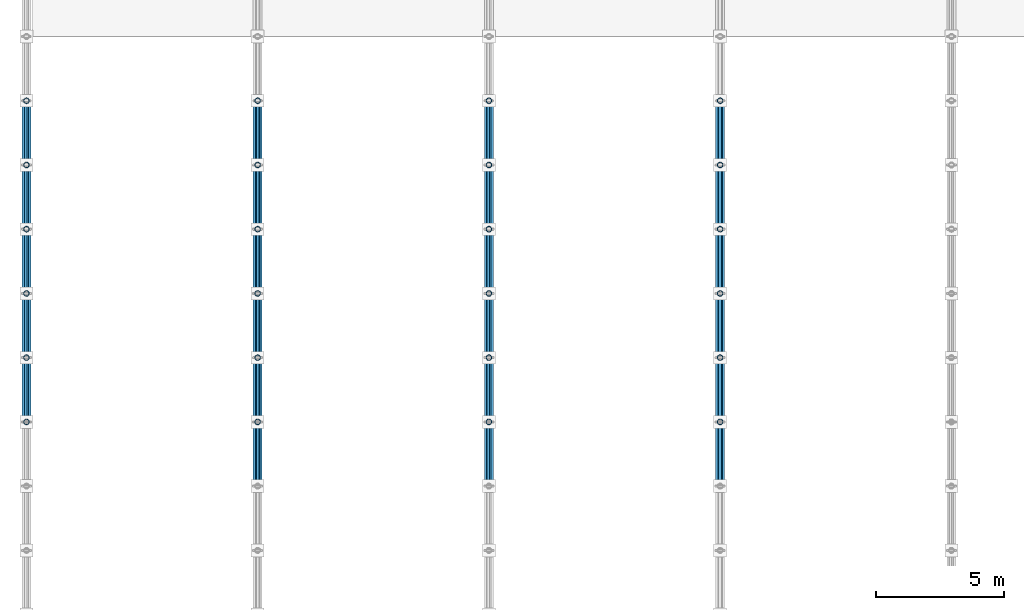
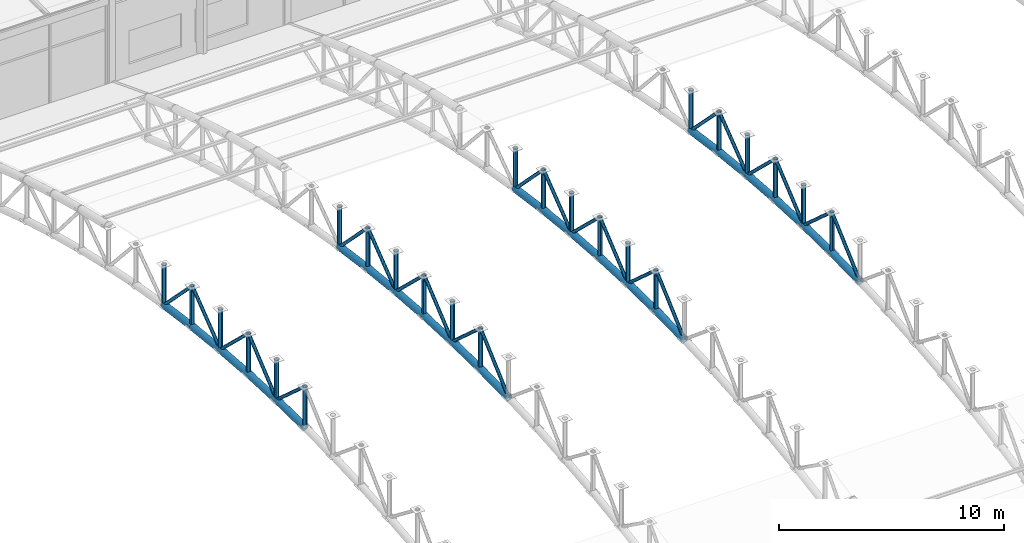
# One storey, part 33 of 195: 70 members.
"""IFC4 building model written with IfcOpenShell, lengths in metres."""

from ifc_helpers import new_model, si_unit, direction, frame, origin, origin_2d, place, context, subcontext, project, spatial, hollow_circle, extrude, material, material_profile, profile_set, type_object, element, save


model = new_model("IFC4")

# Units and contexts
model_context = context("Model", 3, precision=1e-05, world=origin(), true_north=direction((0.0, 1.0)))
body_context = subcontext(model_context, "Body", "Model", "MODEL_VIEW")
ifc_project = project(units=[si_unit("LENGTHUNIT", "METRE"), si_unit("AREAUNIT", "SQUARE_METRE"), si_unit("VOLUMEUNIT", "CUBIC_METRE"), si_unit("PLANEANGLEUNIT", "RADIAN"), si_unit("MASSUNIT", "GRAM", prefix="KILO")], contexts=[model_context])

# Site, building, storey
site_placement = place(None, origin())
site = spatial("IfcSite", under=ifc_project, at=site_placement, CompositionType="ELEMENT")
building_placement = place(site_placement, origin())
building = spatial("IfcBuilding", under=site, at=building_placement, Name="Marlcrest Central Station", CompositionType="ELEMENT")
storey_placement = place(building_placement, frame((0.0, 0.0, 9.800048828125)))
storey = spatial("IfcBuildingStorey", under=building, at=storey_placement, Name="L02", CompositionType="ELEMENT", Elevation=9.800048828125)

# Members
ifc_material = material(Name="Steel S355", Category="steel")
ifc_material_profile_1 = material_profile(ifc_material, hollow_circle(Radius=0.177734375, WallThickness=0.01611328125, at=origin_2d()), Name="CHS 355.6x16")
ifc_profile_set_1 = profile_set([ifc_material_profile_1], Name="Steel S355")
member_type_1 = type_object("IfcMemberType", Name="AC-02", PredefinedType="CHORD", material=ifc_profile_set_1)
member_1_placement = place(storey_placement, frame((0.0, 66.0, 4.800048828125), z_axis=(0.0, 0.999879472592, -0.01552547228), x_axis=(-1.0, 0.0, 0.0)))
element("IfcMember", 1, at=member_1_placement, inside=storey, type_object=member_type_1, Name="mem-AC-02-L02-00112", PredefinedType="CHORD", context=body_context, shape_type="SweptSolid", body=[
    extrude(hollow_circle(Radius=0.177734375, WallThickness=0.01611328125, at=origin_2d()), origin(), (0.0, 0.0, 1.0), 2.500244140625),
])
member_2_placement = place(storey_placement, frame((0.0, 68.5, 4.76123046875), z_axis=(0.0, 0.998916819647, -0.046531574509), x_axis=(-1.0, 0.0, 0.0)))
element("IfcMember", 2, at=member_2_placement, inside=storey, type_object=member_type_1, Name="mem-AC-02-L02-00116", PredefinedType="CHORD", context=body_context, shape_type="SweptSolid", body=[
    extrude(hollow_circle(Radius=0.177734375, WallThickness=0.01611328125, at=origin_2d()), origin(), (0.0, 0.0, 1.0), 2.502685546875),
])
member_3_placement = place(storey_placement, frame((0.0, 71.0, 4.644775390625), z_axis=(0.0, 0.997007334767, -0.077307014043), x_axis=(-1.0, 0.0, 0.0)))
element("IfcMember", 3, at=member_3_placement, inside=storey, type_object=member_type_1, Name="mem-AC-02-L02-00120", PredefinedType="CHORD", context=body_context, shape_type="SweptSolid", body=[
    extrude(hollow_circle(Radius=0.177734375, WallThickness=0.01611328125, at=origin_2d()), origin(), (0.0, 0.0, 1.0), 2.507568359375),
])
member_4_placement = place(storey_placement, frame((0.0, 73.5, 4.450927734375), z_axis=(0.0, 0.994155341034, -0.107959056565), x_axis=(-1.0, 0.0, 0.0)))
element("IfcMember", 4, at=member_4_placement, inside=storey, type_object=member_type_1, Name="mem-AC-02-L02-00124", PredefinedType="CHORD", context=body_context, shape_type="SweptSolid", body=[
    extrude(hollow_circle(Radius=0.177734375, WallThickness=0.01611328125, at=origin_2d()), origin(), (0.0, 0.0, 1.0), 2.5146484375),
])
member_5_placement = place(storey_placement, frame((0.0, 76.0, 4.179443359375), z_axis=(0.0, 0.990402740232, -0.138211476152), x_axis=(-1.0, 0.0, 0.0)))
element("IfcMember", 5, at=member_5_placement, inside=storey, type_object=member_type_1, Name="mem-AC-02-L02-00128", PredefinedType="CHORD", context=body_context, shape_type="SweptSolid", body=[
    extrude(hollow_circle(Radius=0.177734375, WallThickness=0.01611328125, at=origin_2d()), origin(), (0.0, 0.0, 1.0), 2.524169921875),
])
for number, where, z_axis, x_axis, name in (
    (6, (9.0, 63.5, 4.76123046875), (0.0, 0.999879472592, 0.01552547228), (-1.0, 0.0, 0.0), "mem-AC-02-L02-00224"),
    (7, (9.0, 66.0, 4.800048828125), (0.0, 0.999879472592, -0.01552547228), (-1.0, 0.0, 0.0), "mem-AC-02-L02-00228"),
):
    element("IfcMember", number, at=place(storey_placement, frame(where, z_axis=z_axis, x_axis=x_axis)), inside=storey, type_object=member_type_1, Name=name, PredefinedType="CHORD", context=body_context, shape_type="SweptSolid", body=[
        extrude(hollow_circle(Radius=0.177734375, WallThickness=0.01611328125, at=origin_2d()), origin(), (0.0, 0.0, 1.0), 2.500244140625),
    ])
member_6_placement = place(storey_placement, frame((9.0, 68.5, 4.76123046875), z_axis=(0.0, 0.998916819647, -0.046531574509), x_axis=(-1.0, 0.0, 0.0)))
element("IfcMember", 8, at=member_6_placement, inside=storey, type_object=member_type_1, Name="mem-AC-02-L02-00232", PredefinedType="CHORD", context=body_context, shape_type="SweptSolid", body=[
    extrude(hollow_circle(Radius=0.177734375, WallThickness=0.01611328125, at=origin_2d()), origin(), (0.0, 0.0, 1.0), 2.502685546875),
])
member_7_placement = place(storey_placement, frame((9.0, 71.0, 4.644775390625), z_axis=(0.0, 0.997007334767, -0.077307014043), x_axis=(-1.0, 0.0, 0.0)))
element("IfcMember", 9, at=member_7_placement, inside=storey, type_object=member_type_1, Name="mem-AC-02-L02-00236", PredefinedType="CHORD", context=body_context, shape_type="SweptSolid", body=[
    extrude(hollow_circle(Radius=0.177734375, WallThickness=0.01611328125, at=origin_2d()), origin(), (0.0, 0.0, 1.0), 2.507568359375),
])
member_8_placement = place(storey_placement, frame((9.0, 73.5, 4.450927734375), z_axis=(0.0, 0.994155341034, -0.107959056565), x_axis=(-1.0, 0.0, 0.0)))
element("IfcMember", 10, at=member_8_placement, inside=storey, type_object=member_type_1, Name="mem-AC-02-L02-00240", PredefinedType="CHORD", context=body_context, shape_type="SweptSolid", body=[
    extrude(hollow_circle(Radius=0.177734375, WallThickness=0.01611328125, at=origin_2d()), origin(), (0.0, 0.0, 1.0), 2.5146484375),
])
member_9_placement = place(storey_placement, frame((9.0, 76.0, 4.179443359375), z_axis=(0.0, 0.990402740232, -0.138211476152), x_axis=(-1.0, 0.0, 0.0)))
element("IfcMember", 11, at=member_9_placement, inside=storey, type_object=member_type_1, Name="mem-AC-02-L02-00244", PredefinedType="CHORD", context=body_context, shape_type="SweptSolid", body=[
    extrude(hollow_circle(Radius=0.177734375, WallThickness=0.01611328125, at=origin_2d()), origin(), (0.0, 0.0, 1.0), 2.524169921875),
])
for number, where, z_axis, x_axis, name in (
    (12, (18.0, 63.5, 4.76123046875), (0.0, 0.999879472592, 0.01552547228), (-1.0, 0.0, 0.0), "mem-AC-02-L02-00340"),
    (13, (18.0, 66.0, 4.800048828125), (0.0, 0.999879472592, -0.01552547228), (-1.0, 0.0, 0.0), "mem-AC-02-L02-00344"),
):
    element("IfcMember", number, at=place(storey_placement, frame(where, z_axis=z_axis, x_axis=x_axis)), inside=storey, type_object=member_type_1, Name=name, PredefinedType="CHORD", context=body_context, shape_type="SweptSolid", body=[
        extrude(hollow_circle(Radius=0.177734375, WallThickness=0.01611328125, at=origin_2d()), origin(), (0.0, 0.0, 1.0), 2.500244140625),
    ])
member_10_placement = place(storey_placement, frame((18.0, 68.5, 4.76123046875), z_axis=(0.0, 0.998916819647, -0.046531574509), x_axis=(-1.0, 0.0, 0.0)))
element("IfcMember", 14, at=member_10_placement, inside=storey, type_object=member_type_1, Name="mem-AC-02-L02-00348", PredefinedType="CHORD", context=body_context, shape_type="SweptSolid", body=[
    extrude(hollow_circle(Radius=0.177734375, WallThickness=0.01611328125, at=origin_2d()), origin(), (0.0, 0.0, 1.0), 2.502685546875),
])
member_11_placement = place(storey_placement, frame((18.0, 71.0, 4.644775390625), z_axis=(0.0, 0.997007334767, -0.077307014043), x_axis=(-1.0, 0.0, 0.0)))
element("IfcMember", 15, at=member_11_placement, inside=storey, type_object=member_type_1, Name="mem-AC-02-L02-00352", PredefinedType="CHORD", context=body_context, shape_type="SweptSolid", body=[
    extrude(hollow_circle(Radius=0.177734375, WallThickness=0.01611328125, at=origin_2d()), origin(), (0.0, 0.0, 1.0), 2.507568359375),
])
member_12_placement = place(storey_placement, frame((18.0, 73.5, 4.450927734375), z_axis=(0.0, 0.994155341034, -0.107959056565), x_axis=(-1.0, 0.0, 0.0)))
element("IfcMember", 16, at=member_12_placement, inside=storey, type_object=member_type_1, Name="mem-AC-02-L02-00356", PredefinedType="CHORD", context=body_context, shape_type="SweptSolid", body=[
    extrude(hollow_circle(Radius=0.177734375, WallThickness=0.01611328125, at=origin_2d()), origin(), (0.0, 0.0, 1.0), 2.5146484375),
])
member_13_placement = place(storey_placement, frame((18.0, 76.0, 4.179443359375), z_axis=(0.0, 0.990402740232, -0.138211476152), x_axis=(-1.0, 0.0, 0.0)))
element("IfcMember", 17, at=member_13_placement, inside=storey, type_object=member_type_1, Name="mem-AC-02-L02-00360", PredefinedType="CHORD", context=body_context, shape_type="SweptSolid", body=[
    extrude(hollow_circle(Radius=0.177734375, WallThickness=0.01611328125, at=origin_2d()), origin(), (0.0, 0.0, 1.0), 2.524169921875),
])
for number, where, z_axis, x_axis, name in (
    (18, (27.0, 63.5, 4.76123046875), (0.0, 0.999879472592, 0.01552547228), (-1.0, 0.0, 0.0), "mem-AC-02-L02-00456"),
    (19, (27.0, 66.0, 4.800048828125), (0.0, 0.999879472592, -0.01552547228), (-1.0, 0.0, 0.0), "mem-AC-02-L02-00460"),
):
    element("IfcMember", number, at=place(storey_placement, frame(where, z_axis=z_axis, x_axis=x_axis)), inside=storey, type_object=member_type_1, Name=name, PredefinedType="CHORD", context=body_context, shape_type="SweptSolid", body=[
        extrude(hollow_circle(Radius=0.177734375, WallThickness=0.01611328125, at=origin_2d()), origin(), (0.0, 0.0, 1.0), 2.500244140625),
    ])
member_14_placement = place(storey_placement, frame((27.0, 68.5, 4.76123046875), z_axis=(0.0, 0.998916819647, -0.046531574509), x_axis=(-1.0, 0.0, 0.0)))
element("IfcMember", 20, at=member_14_placement, inside=storey, type_object=member_type_1, Name="mem-AC-02-L02-00464", PredefinedType="CHORD", context=body_context, shape_type="SweptSolid", body=[
    extrude(hollow_circle(Radius=0.177734375, WallThickness=0.01611328125, at=origin_2d()), origin(), (0.0, 0.0, 1.0), 2.502685546875),
])
member_15_placement = place(storey_placement, frame((27.0, 71.0, 4.644775390625), z_axis=(0.0, 0.997007334767, -0.077307014043), x_axis=(-1.0, 0.0, 0.0)))
element("IfcMember", 21, at=member_15_placement, inside=storey, type_object=member_type_1, Name="mem-AC-02-L02-00468", PredefinedType="CHORD", context=body_context, shape_type="SweptSolid", body=[
    extrude(hollow_circle(Radius=0.177734375, WallThickness=0.01611328125, at=origin_2d()), origin(), (0.0, 0.0, 1.0), 2.507568359375),
])
member_16_placement = place(storey_placement, frame((27.0, 73.5, 4.450927734375), z_axis=(0.0, 0.994155341034, -0.107959056565), x_axis=(-1.0, 0.0, 0.0)))
element("IfcMember", 22, at=member_16_placement, inside=storey, type_object=member_type_1, Name="mem-AC-02-L02-00472", PredefinedType="CHORD", context=body_context, shape_type="SweptSolid", body=[
    extrude(hollow_circle(Radius=0.177734375, WallThickness=0.01611328125, at=origin_2d()), origin(), (0.0, 0.0, 1.0), 2.5146484375),
])
member_17_placement = place(storey_placement, frame((27.0, 76.0, 4.179443359375), z_axis=(0.0, 0.990402740232, -0.138211476152), x_axis=(-1.0, 0.0, 0.0)))
element("IfcMember", 23, at=member_17_placement, inside=storey, type_object=member_type_1, Name="mem-AC-02-L02-00476", PredefinedType="CHORD", context=body_context, shape_type="SweptSolid", body=[
    extrude(hollow_circle(Radius=0.177734375, WallThickness=0.01611328125, at=origin_2d()), origin(), (0.0, 0.0, 1.0), 2.524169921875),
])
ifc_material_profile_2 = material_profile(ifc_material, hollow_circle(Radius=0.084228515625, WallThickness=0.010009765625, at=origin_2d()), Name="CHS 168.3x10")
ifc_profile_set_2 = profile_set([ifc_material_profile_2], Name="Steel S355")
member_type_2 = type_object("IfcMemberType", Name="AD-01", PredefinedType="BRACE", material=ifc_profile_set_2)
member_18_placement = place(storey_placement, frame((0.0, 66.0, 7.0), z_axis=(0.0, 0.744955843007, -0.66711377738), x_axis=(-1.0, 0.0, 0.0)))
element("IfcMember", 24, at=member_18_placement, inside=storey, type_object=member_type_2, Name="mem-AD-01-L02-00114", PredefinedType="BRACE", context=body_context, shape_type="SweptSolid", body=[
    extrude(hollow_circle(Radius=0.084228515625, WallThickness=0.010009765625, at=origin_2d()), origin(), (0.0, 0.0, 1.0), 3.35595703125),
])
member_19_placement = place(storey_placement, frame((0.0, 68.5, 4.76123046875), z_axis=(0.0, 0.768159787854, 0.640258182552), x_axis=(-1.0, 0.0, 0.0)))
element("IfcMember", 25, at=member_19_placement, inside=storey, type_object=member_type_2, Name="mem-AD-01-L02-00118", PredefinedType="BRACE", context=body_context, shape_type="SweptSolid", body=[
    extrude(hollow_circle(Radius=0.084228515625, WallThickness=0.010009765625, at=origin_2d()), origin(), (0.0, 0.0, 1.0), 3.254638671875),
])
member_20_placement = place(storey_placement, frame((0.0, 71.0, 6.844970703125), z_axis=(0.0, 0.722246537655, -0.691635698071), x_axis=(-1.0, 0.0, 0.0)))
element("IfcMember", 26, at=member_20_placement, inside=storey, type_object=member_type_2, Name="mem-AD-01-L02-00122", PredefinedType="BRACE", context=body_context, shape_type="SweptSolid", body=[
    extrude(hollow_circle(Radius=0.084228515625, WallThickness=0.010009765625, at=origin_2d()), origin(), (0.0, 0.0, 1.0), 3.46142578125),
])
member_21_placement = place(storey_placement, frame((0.0, 73.5, 4.450927734375), z_axis=(0.0, 0.791798282026, 0.610782678684), x_axis=(-1.0, 0.0, 0.0)))
element("IfcMember", 27, at=member_21_placement, inside=storey, type_object=member_type_2, Name="mem-AD-01-L02-00126", PredefinedType="BRACE", context=body_context, shape_type="SweptSolid", body=[
    extrude(hollow_circle(Radius=0.084228515625, WallThickness=0.010009765625, at=origin_2d()), origin(), (0.0, 0.0, 1.0), 3.157470703125),
])
member_22_placement = place(storey_placement, frame((0.0, 76.0, 6.37939453125), z_axis=(0.0, 0.70023547796, -0.713911952139), x_axis=(-1.0, 0.0, 0.0)))
element("IfcMember", 28, at=member_22_placement, inside=storey, type_object=member_type_2, Name="mem-AD-01-L02-00130", PredefinedType="BRACE", context=body_context, shape_type="SweptSolid", body=[
    extrude(hollow_circle(Radius=0.084228515625, WallThickness=0.010009765625, at=origin_2d()), origin(), (0.0, 0.0, 1.0), 3.5703125),
])
for number, where, z_axis, x_axis, name in (
    (29, (9.0, 63.5, 4.76123046875), (0.0, 0.744955843007, 0.66711377738), (-1.0, 0.0, 0.0), "mem-AD-01-L02-00226"),
    (30, (9.0, 66.0, 7.0), (0.0, 0.744955843007, -0.66711377738), (-1.0, 0.0, 0.0), "mem-AD-01-L02-00230"),
):
    element("IfcMember", number, at=place(storey_placement, frame(where, z_axis=z_axis, x_axis=x_axis)), inside=storey, type_object=member_type_2, Name=name, PredefinedType="BRACE", context=body_context, shape_type="SweptSolid", body=[
        extrude(hollow_circle(Radius=0.084228515625, WallThickness=0.010009765625, at=origin_2d()), origin(), (0.0, 0.0, 1.0), 3.35595703125),
    ])
member_23_placement = place(storey_placement, frame((9.0, 68.5, 4.76123046875), z_axis=(0.0, 0.768159787854, 0.640258182552), x_axis=(-1.0, 0.0, 0.0)))
element("IfcMember", 31, at=member_23_placement, inside=storey, type_object=member_type_2, Name="mem-AD-01-L02-00234", PredefinedType="BRACE", context=body_context, shape_type="SweptSolid", body=[
    extrude(hollow_circle(Radius=0.084228515625, WallThickness=0.010009765625, at=origin_2d()), origin(), (0.0, 0.0, 1.0), 3.254638671875),
])
member_24_placement = place(storey_placement, frame((9.0, 71.0, 6.844970703125), z_axis=(0.0, 0.722246537655, -0.691635698071), x_axis=(-1.0, 0.0, 0.0)))
element("IfcMember", 32, at=member_24_placement, inside=storey, type_object=member_type_2, Name="mem-AD-01-L02-00238", PredefinedType="BRACE", context=body_context, shape_type="SweptSolid", body=[
    extrude(hollow_circle(Radius=0.084228515625, WallThickness=0.010009765625, at=origin_2d()), origin(), (0.0, 0.0, 1.0), 3.46142578125),
])
member_25_placement = place(storey_placement, frame((9.0, 73.5, 4.450927734375), z_axis=(0.0, 0.791798282026, 0.610782678684), x_axis=(-1.0, 0.0, 0.0)))
element("IfcMember", 33, at=member_25_placement, inside=storey, type_object=member_type_2, Name="mem-AD-01-L02-00242", PredefinedType="BRACE", context=body_context, shape_type="SweptSolid", body=[
    extrude(hollow_circle(Radius=0.084228515625, WallThickness=0.010009765625, at=origin_2d()), origin(), (0.0, 0.0, 1.0), 3.157470703125),
])
member_26_placement = place(storey_placement, frame((9.0, 76.0, 6.37939453125), z_axis=(0.0, 0.70023547796, -0.713911952139), x_axis=(-1.0, 0.0, 0.0)))
element("IfcMember", 34, at=member_26_placement, inside=storey, type_object=member_type_2, Name="mem-AD-01-L02-00246", PredefinedType="BRACE", context=body_context, shape_type="SweptSolid", body=[
    extrude(hollow_circle(Radius=0.084228515625, WallThickness=0.010009765625, at=origin_2d()), origin(), (0.0, 0.0, 1.0), 3.5703125),
])
for number, where, z_axis, x_axis, name in (
    (35, (18.0, 63.5, 4.76123046875), (0.0, 0.744955843007, 0.66711377738), (-1.0, 0.0, 0.0), "mem-AD-01-L02-00342"),
    (36, (18.0, 66.0, 7.0), (0.0, 0.744955843007, -0.66711377738), (-1.0, 0.0, 0.0), "mem-AD-01-L02-00346"),
):
    element("IfcMember", number, at=place(storey_placement, frame(where, z_axis=z_axis, x_axis=x_axis)), inside=storey, type_object=member_type_2, Name=name, PredefinedType="BRACE", context=body_context, shape_type="SweptSolid", body=[
        extrude(hollow_circle(Radius=0.084228515625, WallThickness=0.010009765625, at=origin_2d()), origin(), (0.0, 0.0, 1.0), 3.35595703125),
    ])
member_27_placement = place(storey_placement, frame((18.0, 68.5, 4.76123046875), z_axis=(0.0, 0.768159787854, 0.640258182552), x_axis=(-1.0, 0.0, 0.0)))
element("IfcMember", 37, at=member_27_placement, inside=storey, type_object=member_type_2, Name="mem-AD-01-L02-00350", PredefinedType="BRACE", context=body_context, shape_type="SweptSolid", body=[
    extrude(hollow_circle(Radius=0.084228515625, WallThickness=0.010009765625, at=origin_2d()), origin(), (0.0, 0.0, 1.0), 3.254638671875),
])
member_28_placement = place(storey_placement, frame((18.0, 71.0, 6.844970703125), z_axis=(0.0, 0.722246537655, -0.691635698071), x_axis=(-1.0, 0.0, 0.0)))
element("IfcMember", 38, at=member_28_placement, inside=storey, type_object=member_type_2, Name="mem-AD-01-L02-00354", PredefinedType="BRACE", context=body_context, shape_type="SweptSolid", body=[
    extrude(hollow_circle(Radius=0.084228515625, WallThickness=0.010009765625, at=origin_2d()), origin(), (0.0, 0.0, 1.0), 3.46142578125),
])
member_29_placement = place(storey_placement, frame((18.0, 73.5, 4.450927734375), z_axis=(0.0, 0.791798282026, 0.610782678684), x_axis=(-1.0, 0.0, 0.0)))
element("IfcMember", 39, at=member_29_placement, inside=storey, type_object=member_type_2, Name="mem-AD-01-L02-00358", PredefinedType="BRACE", context=body_context, shape_type="SweptSolid", body=[
    extrude(hollow_circle(Radius=0.084228515625, WallThickness=0.010009765625, at=origin_2d()), origin(), (0.0, 0.0, 1.0), 3.157470703125),
])
member_30_placement = place(storey_placement, frame((18.0, 76.0, 6.37939453125), z_axis=(0.0, 0.70023547796, -0.713911952139), x_axis=(-1.0, 0.0, 0.0)))
element("IfcMember", 40, at=member_30_placement, inside=storey, type_object=member_type_2, Name="mem-AD-01-L02-00362", PredefinedType="BRACE", context=body_context, shape_type="SweptSolid", body=[
    extrude(hollow_circle(Radius=0.084228515625, WallThickness=0.010009765625, at=origin_2d()), origin(), (0.0, 0.0, 1.0), 3.5703125),
])
for number, where, z_axis, x_axis, name in (
    (41, (27.0, 63.5, 4.76123046875), (0.0, 0.744955843007, 0.66711377738), (-1.0, 0.0, 0.0), "mem-AD-01-L02-00458"),
    (42, (27.0, 66.0, 7.0), (0.0, 0.744955843007, -0.66711377738), (-1.0, 0.0, 0.0), "mem-AD-01-L02-00462"),
):
    element("IfcMember", number, at=place(storey_placement, frame(where, z_axis=z_axis, x_axis=x_axis)), inside=storey, type_object=member_type_2, Name=name, PredefinedType="BRACE", context=body_context, shape_type="SweptSolid", body=[
        extrude(hollow_circle(Radius=0.084228515625, WallThickness=0.010009765625, at=origin_2d()), origin(), (0.0, 0.0, 1.0), 3.35595703125),
    ])
member_31_placement = place(storey_placement, frame((27.0, 68.5, 4.76123046875), z_axis=(0.0, 0.768159787854, 0.640258182552), x_axis=(-1.0, 0.0, 0.0)))
element("IfcMember", 43, at=member_31_placement, inside=storey, type_object=member_type_2, Name="mem-AD-01-L02-00466", PredefinedType="BRACE", context=body_context, shape_type="SweptSolid", body=[
    extrude(hollow_circle(Radius=0.084228515625, WallThickness=0.010009765625, at=origin_2d()), origin(), (0.0, 0.0, 1.0), 3.254638671875),
])
member_32_placement = place(storey_placement, frame((27.0, 71.0, 6.844970703125), z_axis=(0.0, 0.722246537655, -0.691635698071), x_axis=(-1.0, 0.0, 0.0)))
element("IfcMember", 44, at=member_32_placement, inside=storey, type_object=member_type_2, Name="mem-AD-01-L02-00470", PredefinedType="BRACE", context=body_context, shape_type="SweptSolid", body=[
    extrude(hollow_circle(Radius=0.084228515625, WallThickness=0.010009765625, at=origin_2d()), origin(), (0.0, 0.0, 1.0), 3.46142578125),
])
member_33_placement = place(storey_placement, frame((27.0, 73.5, 4.450927734375), z_axis=(0.0, 0.791798282026, 0.610782678684), x_axis=(-1.0, 0.0, 0.0)))
element("IfcMember", 45, at=member_33_placement, inside=storey, type_object=member_type_2, Name="mem-AD-01-L02-00474", PredefinedType="BRACE", context=body_context, shape_type="SweptSolid", body=[
    extrude(hollow_circle(Radius=0.084228515625, WallThickness=0.010009765625, at=origin_2d()), origin(), (0.0, 0.0, 1.0), 3.157470703125),
])
member_34_placement = place(storey_placement, frame((27.0, 76.0, 6.37939453125), z_axis=(0.0, 0.70023547796, -0.713911952139), x_axis=(-1.0, 0.0, 0.0)))
element("IfcMember", 46, at=member_34_placement, inside=storey, type_object=member_type_2, Name="mem-AD-01-L02-00478", PredefinedType="BRACE", context=body_context, shape_type="SweptSolid", body=[
    extrude(hollow_circle(Radius=0.084228515625, WallThickness=0.010009765625, at=origin_2d()), origin(), (0.0, 0.0, 1.0), 3.5703125),
])
ifc_material_profile_3 = material_profile(ifc_material, hollow_circle(Radius=0.109619140625, WallThickness=0.012451171875, at=origin_2d()), Name="CHS 219.1x12.5")
ifc_profile_set_3 = profile_set([ifc_material_profile_3], Name="Steel S355")
member_type_3 = type_object("IfcMemberType", Name="AP-01", PredefinedType="POST", material=ifc_profile_set_3)
for number, where, z_axis, x_axis, name in (
    (47, (0.0, 66.0, 4.800048828125), (0.0, 0.0, 1.0), (1.0, 0.0, 0.0), "mem-AP-01-L02-00113"),
    (48, (0.0, 68.5, 4.76123046875), (0.0, 0.0, 1.0), (1.0, 0.0, 0.0), "mem-AP-01-L02-00117"),
):
    element("IfcMember", number, at=place(storey_placement, frame(where, z_axis=z_axis, x_axis=x_axis)), inside=storey, type_object=member_type_3, Name=name, PredefinedType="POST", context=body_context, shape_type="SweptSolid", body=[
        extrude(hollow_circle(Radius=0.109619140625, WallThickness=0.012451171875, at=origin_2d()), origin(), (0.0, 0.0, 1.0), 2.199951171875),
    ])
member_35_placement = place(storey_placement, frame((0.0, 71.0, 4.644775390625), z_axis=(0.0, 0.0, 1.0), x_axis=(1.0, 0.0, 0.0)))
element("IfcMember", 49, at=member_35_placement, inside=storey, type_object=member_type_3, Name="mem-AP-01-L02-00121", PredefinedType="POST", context=body_context, shape_type="SweptSolid", body=[
    extrude(hollow_circle(Radius=0.109619140625, WallThickness=0.012451171875, at=origin_2d()), origin(), (0.0, 0.0, 1.0), 2.2001953125),
])
for number, where, z_axis, x_axis, name in (
    (50, (0.0, 73.5, 4.450927734375), (0.0, 0.0, 1.0), (1.0, 0.0, 0.0), "mem-AP-01-L02-00125"),
    (51, (0.0, 76.0, 4.179443359375), (0.0, 0.0, 1.0), (1.0, 0.0, 0.0), "mem-AP-01-L02-00129"),
    (52, (0.0, 78.5, 3.83056640625), (0.0, 0.0, 1.0), (1.0, 0.0, 0.0), "mem-AP-01-L02-00133"),
    (53, (9.0, 66.0, 4.800048828125), (0.0, 0.0, 1.0), (1.0, 0.0, 0.0), "mem-AP-01-L02-00229"),
    (54, (9.0, 68.5, 4.76123046875), (0.0, 0.0, 1.0), (1.0, 0.0, 0.0), "mem-AP-01-L02-00233"),
):
    element("IfcMember", number, at=place(storey_placement, frame(where, z_axis=z_axis, x_axis=x_axis)), inside=storey, type_object=member_type_3, Name=name, PredefinedType="POST", context=body_context, shape_type="SweptSolid", body=[
        extrude(hollow_circle(Radius=0.109619140625, WallThickness=0.012451171875, at=origin_2d()), origin(), (0.0, 0.0, 1.0), 2.199951171875),
    ])
member_36_placement = place(storey_placement, frame((9.0, 71.0, 4.644775390625), z_axis=(0.0, 0.0, 1.0), x_axis=(1.0, 0.0, 0.0)))
element("IfcMember", 55, at=member_36_placement, inside=storey, type_object=member_type_3, Name="mem-AP-01-L02-00237", PredefinedType="POST", context=body_context, shape_type="SweptSolid", body=[
    extrude(hollow_circle(Radius=0.109619140625, WallThickness=0.012451171875, at=origin_2d()), origin(), (0.0, 0.0, 1.0), 2.2001953125),
])
for number, where, z_axis, x_axis, name in (
    (56, (9.0, 73.5, 4.450927734375), (0.0, 0.0, 1.0), (1.0, 0.0, 0.0), "mem-AP-01-L02-00241"),
    (57, (9.0, 76.0, 4.179443359375), (0.0, 0.0, 1.0), (1.0, 0.0, 0.0), "mem-AP-01-L02-00245"),
    (58, (9.0, 78.5, 3.83056640625), (0.0, 0.0, 1.0), (1.0, 0.0, 0.0), "mem-AP-01-L02-00249"),
    (59, (18.0, 66.0, 4.800048828125), (0.0, 0.0, 1.0), (1.0, 0.0, 0.0), "mem-AP-01-L02-00345"),
    (60, (18.0, 68.5, 4.76123046875), (0.0, 0.0, 1.0), (1.0, 0.0, 0.0), "mem-AP-01-L02-00349"),
):
    element("IfcMember", number, at=place(storey_placement, frame(where, z_axis=z_axis, x_axis=x_axis)), inside=storey, type_object=member_type_3, Name=name, PredefinedType="POST", context=body_context, shape_type="SweptSolid", body=[
        extrude(hollow_circle(Radius=0.109619140625, WallThickness=0.012451171875, at=origin_2d()), origin(), (0.0, 0.0, 1.0), 2.199951171875),
    ])
member_37_placement = place(storey_placement, frame((18.0, 71.0, 4.644775390625), z_axis=(0.0, 0.0, 1.0), x_axis=(1.0, 0.0, 0.0)))
element("IfcMember", 61, at=member_37_placement, inside=storey, type_object=member_type_3, Name="mem-AP-01-L02-00353", PredefinedType="POST", context=body_context, shape_type="SweptSolid", body=[
    extrude(hollow_circle(Radius=0.109619140625, WallThickness=0.012451171875, at=origin_2d()), origin(), (0.0, 0.0, 1.0), 2.2001953125),
])
for number, where, z_axis, x_axis, name in (
    (62, (18.0, 73.5, 4.450927734375), (0.0, 0.0, 1.0), (1.0, 0.0, 0.0), "mem-AP-01-L02-00357"),
    (63, (18.0, 76.0, 4.179443359375), (0.0, 0.0, 1.0), (1.0, 0.0, 0.0), "mem-AP-01-L02-00361"),
    (64, (18.0, 78.5, 3.83056640625), (0.0, 0.0, 1.0), (1.0, 0.0, 0.0), "mem-AP-01-L02-00365"),
    (65, (27.0, 66.0, 4.800048828125), (0.0, 0.0, 1.0), (1.0, 0.0, 0.0), "mem-AP-01-L02-00461"),
    (66, (27.0, 68.5, 4.76123046875), (0.0, 0.0, 1.0), (1.0, 0.0, 0.0), "mem-AP-01-L02-00465"),
):
    element("IfcMember", number, at=place(storey_placement, frame(where, z_axis=z_axis, x_axis=x_axis)), inside=storey, type_object=member_type_3, Name=name, PredefinedType="POST", context=body_context, shape_type="SweptSolid", body=[
        extrude(hollow_circle(Radius=0.109619140625, WallThickness=0.012451171875, at=origin_2d()), origin(), (0.0, 0.0, 1.0), 2.199951171875),
    ])
member_38_placement = place(storey_placement, frame((27.0, 71.0, 4.644775390625), z_axis=(0.0, 0.0, 1.0), x_axis=(1.0, 0.0, 0.0)))
element("IfcMember", 67, at=member_38_placement, inside=storey, type_object=member_type_3, Name="mem-AP-01-L02-00469", PredefinedType="POST", context=body_context, shape_type="SweptSolid", body=[
    extrude(hollow_circle(Radius=0.109619140625, WallThickness=0.012451171875, at=origin_2d()), origin(), (0.0, 0.0, 1.0), 2.2001953125),
])
for number, where, z_axis, x_axis, name in (
    (68, (27.0, 73.5, 4.450927734375), (0.0, 0.0, 1.0), (1.0, 0.0, 0.0), "mem-AP-01-L02-00473"),
    (69, (27.0, 76.0, 4.179443359375), (0.0, 0.0, 1.0), (1.0, 0.0, 0.0), "mem-AP-01-L02-00477"),
    (70, (27.0, 78.5, 3.83056640625), (0.0, 0.0, 1.0), (1.0, 0.0, 0.0), "mem-AP-01-L02-00481"),
):
    element("IfcMember", number, at=place(storey_placement, frame(where, z_axis=z_axis, x_axis=x_axis)), inside=storey, type_object=member_type_3, Name=name, PredefinedType="POST", context=body_context, shape_type="SweptSolid", body=[
        extrude(hollow_circle(Radius=0.109619140625, WallThickness=0.012451171875, at=origin_2d()), origin(), (0.0, 0.0, 1.0), 2.199951171875),
    ])

save(model, "model.ifc")
